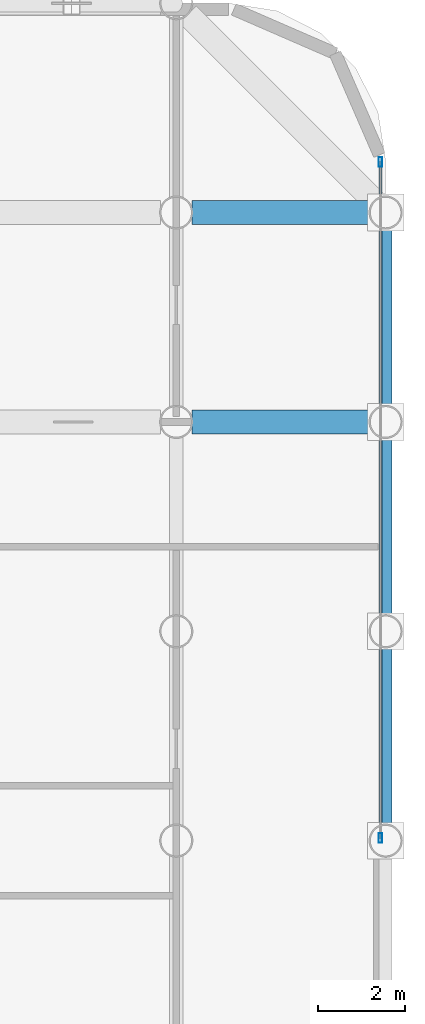
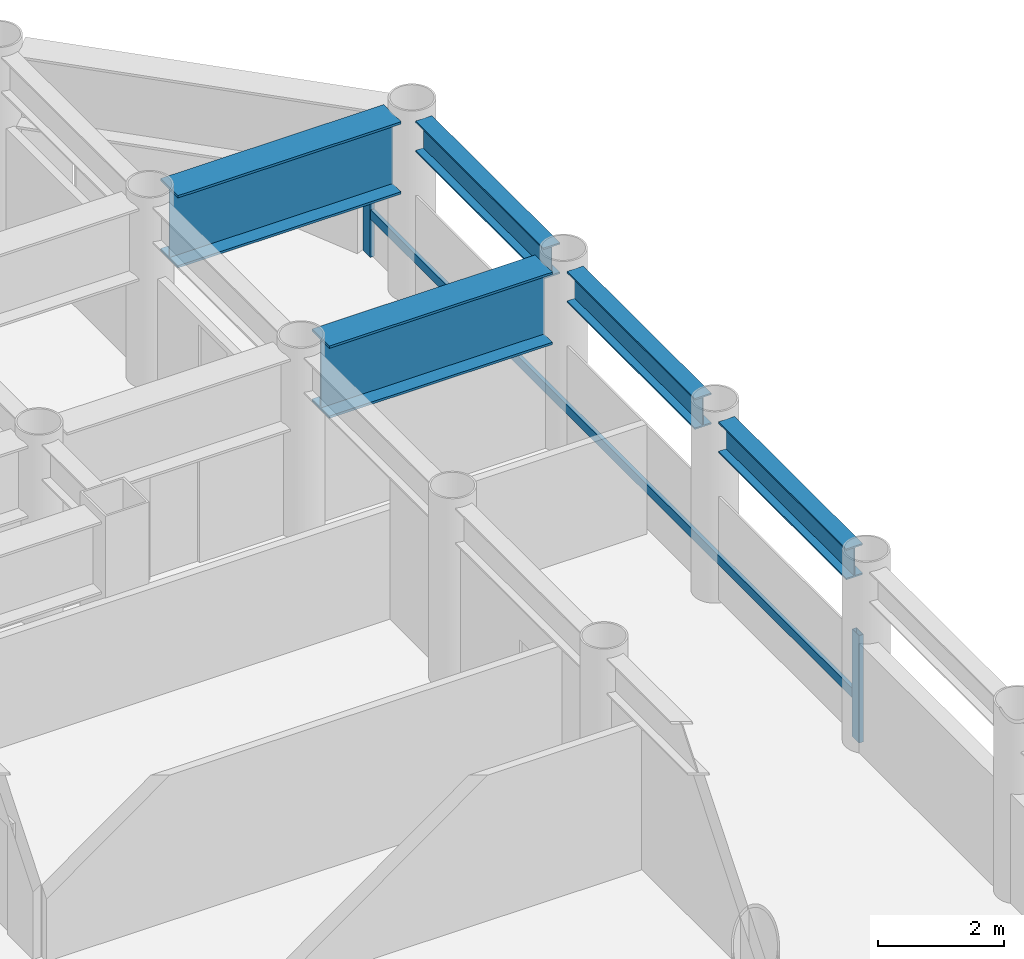
# One storey, part 13 of 22: 5 beams, 3 members, 1 element without a shape of its own.
"""IFC4 building model written with IfcOpenShell, lengths in metres."""

from ifc_helpers import new_model, si_unit, direction, frame, origin, origin_2d, place, context, subcontext, project, spatial, hollow_rectangle, i_section, extrude, material, layer, layer_set, material_profile, profile_set, type_object, element, aggregate, save


model = new_model("IFC4")

# Units and contexts
model_context = context("Model", 3, precision=1e-05, world=origin(), true_north=direction((0.0, 1.0)))
body_context = subcontext(model_context, "Body", "Model", "MODEL_VIEW")
ifc_project = project(units=[si_unit("LENGTHUNIT", "METRE"), si_unit("AREAUNIT", "SQUARE_METRE"), si_unit("VOLUMEUNIT", "CUBIC_METRE"), si_unit("PLANEANGLEUNIT", "RADIAN"), si_unit("MASSUNIT", "GRAM", prefix="KILO")], contexts=[model_context])

# Site, building, storey
site_placement = place(None, origin())
site = spatial("IfcSite", under=ifc_project, at=site_placement, CompositionType="ELEMENT")
building_placement = place(site_placement, origin())
building = spatial("IfcBuilding", under=site, at=building_placement, Name="Kallvorn Hotel Tower", CompositionType="ELEMENT")
storey_placement = place(building_placement, frame((0.0, 0.0, 59.60009765625)))
storey = spatial("IfcBuildingStorey", under=building, at=storey_placement, Name="L13", CompositionType="ELEMENT", Elevation=59.60009765625)

# Beams
ifc_material_1 = material(Name="Structural steel S355JR", Category="steel")
ifc_material_profile_1 = material_profile(ifc_material_1, i_section(OverallWidth=0.300048828125, OverallDepth=0.60009765625, WebThickness=0.015380859375, FlangeThickness=0.030029296875, at=origin_2d()), Name="HE 600 B")
ifc_profile_set_1 = profile_set([ifc_material_profile_1], Name="Structural steel S355JR")
beam_type_1 = type_object("IfcBeamType", Name="BM_HE600B", PredefinedType="SPANDREL", material=ifc_profile_set_1)
beam_placement = place(storey_placement, frame((33.60009765625, 0.37109375, 3.219970703125), z_axis=(0.0, 1.0, 0.0), x_axis=(-1.0, 0.0, 0.0)))
element("IfcBeam", 1, at=beam_placement, inside=storey, type_object=beam_type_1, Name="L14 Perimeter Spandrel 186", PredefinedType="SPANDREL", context=body_context, shape_type="SweptSolid", body=[
    extrude(i_section(OverallWidth=0.300048828125, OverallDepth=0.60009765625, WebThickness=0.015380859375, FlangeThickness=0.030029296875, at=origin_2d()), origin(), (0.0, 0.0, 1.0), 4.057861328125),
])
for number, where, z_axis, x_axis, name in (
    (2, (33.60009765625, 5.1708984375, 3.219970703125), (0.0, 1.0, 0.0), (-1.0, 0.0, 0.0), "L14 Perimeter Spandrel 187"),
    (3, (33.60009765625, 9.970947265625, 3.219970703125), (0.0, 1.0, 0.0), (-1.0, 0.0, 0.0), "L14 Perimeter Spandrel 188"),
):
    element("IfcBeam", number, at=place(storey_placement, frame(where, z_axis=z_axis, x_axis=x_axis)), inside=storey, type_object=beam_type_1, Name=name, PredefinedType="SPANDREL", context=body_context, shape_type="SweptSolid", body=[
        extrude(i_section(OverallWidth=0.300048828125, OverallDepth=0.60009765625, WebThickness=0.015380859375, FlangeThickness=0.030029296875, at=origin_2d()), origin(), (0.0, 0.0, 1.0), 4.05810546875),
    ])
ifc_material_2 = material(Name="Structural steel S355JR", Category="steel")
ifc_material_profile_2 = material_profile(ifc_material_2, i_section(OverallWidth=0.550048828125, OverallDepth=1.39990234375, WebThickness=0.02490234375, FlangeThickness=0.044921875, at=origin_2d()), Name="PG 1400x550x25x45")
ifc_profile_set_2 = profile_set([ifc_material_profile_2], Name="Structural steel S355JR")
beam_type_2 = type_object("IfcBeamType", Name="BM_PG_1400", PredefinedType="BEAM", material=ifc_profile_set_2)
for number, where, z_axis, x_axis, name in (
    (4, (29.156005859375, 9.60009765625, 2.81982421875), (1.0, 0.0, 0.0), (0.0, 1.0, 0.0), "L14 Primary X-Girder 50"),
    (5, (29.156005859375, 14.39990234375, 2.81982421875), (1.0, 0.0, 0.0), (0.0, 1.0, 0.0), "L14 Primary X-Girder 60"),
):
    element("IfcBeam", number, at=place(storey_placement, frame(where, z_axis=z_axis, x_axis=x_axis)), inside=storey, type_object=beam_type_2, Name=name, PredefinedType="BEAM", context=body_context, shape_type="SweptSolid", body=[
        extrude(i_section(OverallWidth=0.550048828125, OverallDepth=1.39990234375, WebThickness=0.02490234375, FlangeThickness=0.044921875, at=origin_2d()), origin(), (0.0, 0.0, 1.0), 4.087890625),
    ])

# Curtain wall, members
ifc_material_3 = material(Name="Thermally broken black-anodised aluminium AA 6063-T6", Category="aluminium")
ifc_layer = layer(ifc_material_3, 0.199951171875)
ifc_layer_set = layer_set([ifc_layer], Name="CW_SYS_3_HOTEL_LOW")
curtain_wall_type = type_object("IfcCurtainWallType", Name="CW_SYS_3_HOTEL_LOW", PredefinedType="USERDEFINED", material=ifc_layer_set)
curtain_wall_placement = place(storey_placement, origin())
curtain_wall = element("IfcCurtainWall", 6, at=curtain_wall_placement, inside=storey, type_object=curtain_wall_type, Name="L13 Dark-Glass Curtain Wall CW-L13-EN", ObjectType="UNITISED CURTAIN WALL", PredefinedType="USERDEFINED")
ifc_material_4 = material(Name="Thermally broken black-anodised aluminium AA 6063-T6", Category="aluminium")
ifc_material_profile_3 = material_profile(ifc_material_4, hollow_rectangle(XDim=0.080078125, YDim=0.219970703125, WallThickness=0.0048828125, at=origin_2d()), Name="MUL 220x80")
ifc_profile_set_3 = profile_set([ifc_material_profile_3], Name="Thermally broken black-anodised aluminium AA 6063-T6")
member_type_1 = type_object("IfcMemberType", Name="CW_MULLION_220x80", PredefinedType="MULLION", material=ifc_profile_set_3)
member_1_placement = place(storey_placement, frame((33.47998046875, 0.06005859375, 0.02001953125), z_axis=(0.0, 0.0, 1.0), x_axis=(1.0, 0.0, 0.0)))
member_1 = element("IfcMember", 7, at=member_1_placement, type_object=member_type_1, Name="CW-L13-EN Mullion 00", PredefinedType="MULLION", context=body_context, shape_type="SweptSolid", body=[
    extrude(hollow_rectangle(XDim=0.080078125, YDim=0.219970703125, WallThickness=0.0048828125, at=origin_2d()), origin(), (0.0, 0.0, 1.0), 2.079833984375),
])
member_2_placement = place(storey_placement, frame((33.47998046875, 15.56005859375, 0.02001953125), z_axis=(0.0, 0.0, 1.0), x_axis=(1.0, 0.0, 0.0)))
member_2 = element("IfcMember", 8, at=member_2_placement, type_object=member_type_1, Name="CW-L13-EN Mullion 01", PredefinedType="MULLION", context=body_context, shape_type="SweptSolid", body=[
    extrude(hollow_rectangle(XDim=0.080078125, YDim=0.219970703125, WallThickness=0.0048828125, at=origin_2d()), origin(), (0.0, 0.0, 1.0), 2.079833984375),
])
ifc_material_5 = material(Name="Thermally broken black-anodised aluminium AA 6063-T6", Category="aluminium")
ifc_material_profile_4 = material_profile(ifc_material_5, hollow_rectangle(XDim=0.070068359375, YDim=0.179931640625, WallThickness=0.00390625, at=origin_2d()), Name="TRN 180x70")
ifc_profile_set_4 = profile_set([ifc_material_profile_4], Name="Thermally broken black-anodised aluminium AA 6063-T6")
member_type_2 = type_object("IfcMemberType", Name="CW_TRANSOM_180x70", PredefinedType="USERDEFINED", material=ifc_profile_set_4)
member_3_placement = place(storey_placement, frame((33.47998046875, 0.06005859375, 0.849853515625), z_axis=(0.0, 1.0, 0.0), x_axis=(-1.0, 0.0, 0.0)))
member_3 = element("IfcMember", 9, at=member_3_placement, type_object=member_type_2, Name="CW-L13-EN Transom 00M", ObjectType="TRANSOM", PredefinedType="USERDEFINED", context=body_context, shape_type="SweptSolid", body=[
    extrude(hollow_rectangle(XDim=0.070068359375, YDim=0.179931640625, WallThickness=0.00390625, at=origin_2d()), origin(), (0.0, 0.0, 1.0), 15.5),
])
aggregate(curtain_wall, [member_1, member_2, member_3])

save(model, "model.ifc")
